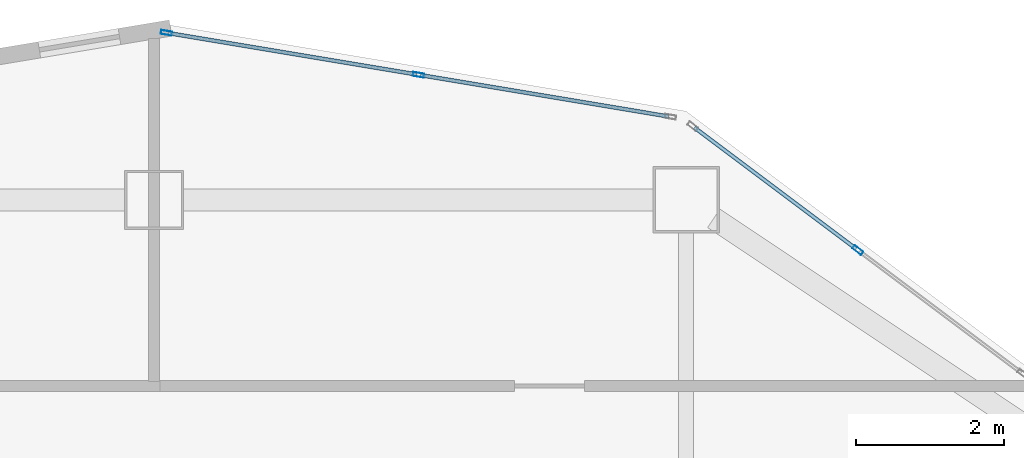
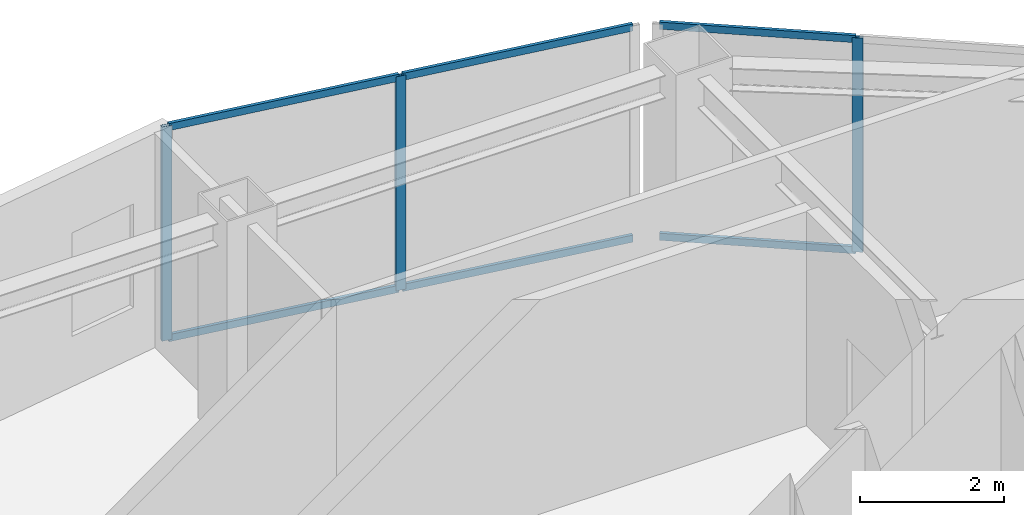
# One storey, part 2 of 12: 9 members, 2 elements without a shape of their own.
"""IFC4 building model written with IfcOpenShell, lengths in metres."""

import ifcopenshell
import ifcopenshell.guid

model = None  # the IFC model being written
_history = None  # IfcOwnerHistory: only IFC2X3 demands one
_inside = {}  # id of a spatial element -> (the spatial element, [elements in it])
_under = {}  # id of a project, library or spatial element -> (it, [spatial elements below it])
_declared = {}  # id of a project -> (the project, [libraries it declares])
_typed = {}  # id of a type object -> (the type object, [elements of that type])
_made_of = {}  # id of a material, layer set ... -> (it, [elements and type objects made of it])


def new_model(schema):
    """Start an empty IFC model of exactly this schema.

    Asked for "IFC4X3", IfcOpenShell would pick the latest addendum, in which some entities
    have other attributes; the version numbers below select the first issue.
    IFC2X3 requires an IfcOwnerHistory on every rooted entity: one is made here for all.
    """
    global model, _history
    if schema == "IFC4X3":
        model = ifcopenshell.file(schema_version=(4, 3, 0, 0))
    else:
        model = ifcopenshell.file(schema=schema)
    _inside.clear()
    _under.clear()
    _declared.clear()
    _typed.clear()
    _made_of.clear()
    _history = None
    if model.schema == "IFC2X3":
        org = make("IfcOrganization", Name="unknown")
        user = make(
            "IfcPersonAndOrganization",
            ThePerson=make("IfcPerson", FamilyName="unknown"),
            TheOrganization=org,
        )
        app = make(
            "IfcApplication",
            ApplicationDeveloper=org,
            Version="unknown",
            ApplicationFullName="unknown",
            ApplicationIdentifier="unknown",
        )
        _history = make(
            "IfcOwnerHistory",
            OwningUser=user,
            OwningApplication=app,
            ChangeAction="ADDED",
            CreationDate=0,
        )
    return model


def make(cls, **values):
    """One entity of the class cls with the attributes given. An attribute that is None is left unset."""
    return model.create_entity(
        cls, **{name: value for name, value in values.items() if value is not None}
    )


def rooted(cls, **values):
    """An entity with a GlobalId (a new one), such as an element, a storey or a relation."""
    return make(cls, GlobalId=ifcopenshell.guid.new(), OwnerHistory=_history, **values)


def si_unit(unit_type, name, prefix=None):
    """IfcSIUnit, for example si_unit("LENGTHUNIT", "METRE", prefix="MILLI")."""
    return make("IfcSIUnit", UnitType=unit_type, Prefix=prefix, Name=name)


def assignment(units):
    """IfcUnitAssignment: the units of a project."""
    return None if units is None else make("IfcUnitAssignment", Units=units)


def point(xyz):
    """IfcCartesianPoint."""
    return None if xyz is None else make("IfcCartesianPoint", Coordinates=xyz)


def direction(xyz):
    """IfcDirection."""
    return None if xyz is None else make("IfcDirection", DirectionRatios=xyz)


def frame(location, z_axis=None, x_axis=None):
    """IfcAxis2Placement3D, a coordinate frame: its origin and axes. An axis left out is left unset."""
    return make(
        "IfcAxis2Placement3D",
        Location=point(location),
        Axis=direction(z_axis),
        RefDirection=direction(x_axis),
    )


def frame_2d(location, x_axis=None):
    """IfcAxis2Placement2D, a coordinate frame in the plane: its origin and x axis."""
    return make(
        "IfcAxis2Placement2D", Location=point(location), RefDirection=direction(x_axis)
    )


def origin():
    """The frame at (0, 0, 0) with its axes left unset."""
    return frame((0.0, 0.0, 0.0))


def origin_2d():
    """The frame at (0, 0) in the plane with its x axis left unset."""
    return frame_2d((0.0, 0.0))


def place(relative_to, where):
    """IfcLocalPlacement: puts the frame where relative to a parent placement (None: the world)."""
    return make(
        "IfcLocalPlacement", PlacementRelTo=relative_to, RelativePlacement=where
    )


def context(
    kind, dimensions, precision=None, world=None, true_north=None, identifier=None
):
    """IfcGeometricRepresentationContext, for example the 3D "Model" context."""
    return make(
        "IfcGeometricRepresentationContext",
        ContextIdentifier=identifier,
        ContextType=kind,
        CoordinateSpaceDimension=dimensions,
        Precision=precision,
        WorldCoordinateSystem=world,
        TrueNorth=true_north,
    )


def subcontext(parent, identifier, kind, view, scale=None):
    """IfcGeometricRepresentationSubContext, for example "Body" below "Model"."""
    return make(
        "IfcGeometricRepresentationSubContext",
        ContextIdentifier=identifier,
        ContextType=kind,
        ParentContext=parent,
        TargetScale=scale,
        TargetView=view,
    )


def project(units=None, contexts=None):
    """IfcProject with its units and contexts."""
    return rooted(
        "IfcProject",
        Name="project",
        RepresentationContexts=contexts,
        UnitsInContext=assignment(units),
    )


def spatial(cls, under=None, at=None, **own):
    """A site, building, storey or space (cls), placed at a placement, below another one or the project."""
    s = rooted(cls, ObjectPlacement=at, **own)
    if under is not None:
        _under.setdefault(under.id(), (under, []))[1].append(s)
    return s


def profile(cls, at=None, kind="AREA", **sizes):
    """A parametric profile (cls). Its sizes go by their IFC names, for example OverallWidth=200.0."""
    return make(cls, ProfileType=kind, Position=at, **sizes)


def hollow_rectangle(**sizes):
    """IfcRectangleHollowProfileDef."""
    return profile("IfcRectangleHollowProfileDef", **sizes)


def extrude(swept, where, along, depth):
    """IfcExtrudedAreaSolid: the profile swept, set in the frame where, extruded along a direction by depth."""
    return make(
        "IfcExtrudedAreaSolid",
        SweptArea=swept,
        Position=where,
        ExtrudedDirection=direction(along),
        Depth=depth,
    )


def shape(context_of_items, identifier, shape_type, items):
    """IfcShapeRepresentation: the items that make up one representation, for example the "Body"."""
    return make(
        "IfcShapeRepresentation",
        ContextOfItems=context_of_items,
        RepresentationIdentifier=identifier,
        RepresentationType=shape_type,
        Items=items,
    )


def material(Name=None, Category=None):
    """IfcMaterial."""
    return make("IfcMaterial", Name=Name, Category=Category)


def layer(
    of_material, thickness, ventilated=None, Name=None, Category=None, Priority=None
):
    """IfcMaterialLayer: one layer of a wall or slab, of a material (None: an air gap)."""
    return make(
        "IfcMaterialLayer",
        Material=of_material,
        LayerThickness=thickness,
        IsVentilated=ventilated,
        Name=Name,
        Category=Category,
        Priority=Priority,
    )


def layer_set(layers, Name=None):
    """IfcMaterialLayerSet."""
    return make("IfcMaterialLayerSet", MaterialLayers=layers, LayerSetName=Name)


def material_profile(
    of_material, cross_section, Name=None, Category=None, Priority=None
):
    """IfcMaterialProfile: a cross section and its material."""
    return make(
        "IfcMaterialProfile",
        Name=Name,
        Material=of_material,
        Profile=cross_section,
        Priority=Priority,
        Category=Category,
    )


def profile_set(profiles, Name=None, composite=None):
    """IfcMaterialProfileSet."""
    return make(
        "IfcMaterialProfileSet",
        Name=Name,
        MaterialProfiles=profiles,
        CompositeProfile=composite,
    )


def made_of(thing, what):
    """Note that an element or type object is made of a material, layer set ...; save() writes the relation."""
    if what is not None:
        _made_of.setdefault(what.id(), (what, []))[1].append(thing)
    return thing


def type_object(cls, material=None, **own):
    """A type object (cls), such as IfcWallType, which elements share."""
    return made_of(rooted(cls, **own), material)


def element(
    cls,
    number,
    at=None,
    inside=None,
    cuts=None,
    type_object=None,
    material=None,
    context=None,
    identifier="Body",
    shape_type=None,
    held_by="IfcProductDefinitionShape",
    body=None,
    shapes=None,
    **own,
):
    """One element of the class cls, such as IfcWall. Its Tag is "e" and its number.

    at: its placement. inside: the storey or other place that contains it. cuts: it is an
    opening in that element (IfcRelVoidsElement). A single representation is given by context,
    identifier, shape_type and body (its items); several are given by shapes. held_by: the class
    of the entity that holds the representations. save() writes the other relations.
    """
    e = rooted(cls, Tag="e%d" % number, ObjectPlacement=at, **own)
    if body is not None:
        shapes = [shape(context, identifier, shape_type, body)]
    if shapes is not None:
        e.Representation = make(held_by, Representations=shapes)
    if inside is not None:
        _inside.setdefault(inside.id(), (inside, []))[1].append(e)
    if cuts is not None:
        rooted(
            "IfcRelVoidsElement", RelatingBuildingElement=cuts, RelatedOpeningElement=e
        )
    if type_object is not None:
        _typed.setdefault(type_object.id(), (type_object, []))[1].append(e)
    return made_of(e, material)


def aggregate(whole, parts):
    """IfcRelAggregates: a whole, such as a stair, and the parts it consists of."""
    return rooted("IfcRelAggregates", RelatingObject=whole, RelatedObjects=parts)


def save(model, path):
    """Write the relations noted so far, then the file.

    IfcRelAggregates (storeys below a building ...), IfcRelContainedInSpatialStructure (elements
    in a storey), IfcRelDefinesByType, IfcRelAssociatesMaterial and IfcRelDeclares: one each for
    every whole, place, type object, material and project.
    """
    for whole, parts in _under.values():
        aggregate(whole, parts)
    for where, things in _inside.values():
        rooted(
            "IfcRelContainedInSpatialStructure",
            RelatedElements=things,
            RelatingStructure=where,
        )
    for kind, things in _typed.values():
        rooted("IfcRelDefinesByType", RelatedObjects=things, RelatingType=kind)
    for what, things in _made_of.values():
        rooted("IfcRelAssociatesMaterial", RelatedObjects=things, RelatingMaterial=what)
    for by, libraries in _declared.values():
        rooted("IfcRelDeclares", RelatingContext=by, RelatedDefinitions=libraries)
    model.write(path)


model = new_model("IFC4")

# Units and contexts
model_context = context("Model", 3, precision=1e-05, world=origin(), true_north=direction((0.0, 1.0)))
body_context = subcontext(model_context, "Body", "Model", "MODEL_VIEW")
ifc_project = project(units=[si_unit("LENGTHUNIT", "METRE"), si_unit("AREAUNIT", "SQUARE_METRE"), si_unit("VOLUMEUNIT", "CUBIC_METRE"), si_unit("PLANEANGLEUNIT", "RADIAN"), si_unit("MASSUNIT", "GRAM", prefix="KILO")], contexts=[model_context])

# Site, building, storey
site_placement = place(None, origin())
site = spatial("IfcSite", under=ifc_project, at=site_placement, CompositionType="ELEMENT")
building_placement = place(site_placement, origin())
building = spatial("IfcBuilding", under=site, at=building_placement, Name="Haolan Belvedere Tower", CompositionType="ELEMENT")
storey_placement = place(building_placement, frame((0.0, 0.0, 184.199951171875)))
storey = spatial("IfcBuildingStorey", under=building, at=storey_placement, Name="L46", CompositionType="ELEMENT", Elevation=184.199951171875)

# Curtain wall, member
ifc_material_1 = material(Name="Anodised champagne-silver aluminium 6063-T6 and Low-E glass", Category="aluminium")
ifc_layer = layer(ifc_material_1, 0.14990234375, Name="Anodised champagne-silver aluminium 6063-T6 and Low-E glass")
ifc_layer_set = layer_set([ifc_layer], Name="Anodised champagne-silver aluminium 6063-T6 and Low-E glass")
curtain_wall_type = type_object("IfcCurtainWallType", Name="CW-SYS-04", PredefinedType="NOTDEFINED", material=ifc_layer_set)
curtain_wall_1_placement = place(storey_placement, origin())
curtain_wall_1 = element("IfcCurtainWall", 1, at=curtain_wall_1_placement, inside=storey, type_object=curtain_wall_type, Name="L46 CW-SYS-04 ribbon curtain wall 20.1", PredefinedType="NOTDEFINED")
ifc_material_2 = material(Name="Anodised aluminium 6063-T6", Category="aluminium")
ifc_material_profile_1 = material_profile(ifc_material_2, hollow_rectangle(XDim=0.055908203125, YDim=0.14990234375, WallThickness=0.00390625, at=origin_2d()), Name="Anodised aluminium 6063-T6")
ifc_profile_set_1 = profile_set([ifc_material_profile_1], Name="Anodised aluminium 6063-T6")
member_type_1 = type_object("IfcMemberType", Name="CW-SYS-04-MUL", PredefinedType="MULLION", material=ifc_profile_set_1)
member_1_placement = place(storey_placement, frame((47.9228515625, 49.720458984375, 0.0), z_axis=(0.0, 0.0, 1.0), x_axis=(-0.600002837806, -0.799997871638, 0.0)))
member_1 = element("IfcMember", 2, at=member_1_placement, type_object=member_type_1, Name="CW-04 mullion 2", PredefinedType="MULLION", context=body_context, shape_type="SweptSolid", body=[
    extrude(hollow_rectangle(XDim=0.055908203125, YDim=0.14990234375, WallThickness=0.00390625, at=origin_2d()), origin(), (0.0, 0.0, 1.0), 3.6201171875),
])

# Curtain wall, members
curtain_wall_2_placement = place(storey_placement, origin())
curtain_wall_2 = element("IfcCurtainWall", 3, at=curtain_wall_2_placement, inside=storey, type_object=curtain_wall_type, Name="L46 CW-SYS-04 ribbon curtain wall 21.1", PredefinedType="NOTDEFINED")
member_2_placement = place(storey_placement, frame((41.977783203125, 52.09228515625, 0.0), z_axis=(0.0, 0.0, 1.0), x_axis=(-0.164405962825, -0.98639276122, 0.0)))
member_2 = element("IfcMember", 4, at=member_2_placement, type_object=member_type_1, Name="CW-04 mullion 2", PredefinedType="MULLION", context=body_context, shape_type="SweptSolid", body=[
    extrude(hollow_rectangle(XDim=0.055908203125, YDim=0.14990234375, WallThickness=0.00390625, at=origin_2d()), origin(), (0.0, 0.0, 1.0), 3.6201171875),
])
member_3_placement = place(storey_placement, frame((38.565673828125, 52.660888671875, 0.0), z_axis=(0.0, 0.0, 1.0), x_axis=(-0.164405962825, -0.98639276122, 0.0)))
member_3 = element("IfcMember", 5, at=member_3_placement, type_object=member_type_1, Name="CW-04 mullion 3", PredefinedType="MULLION", context=body_context, shape_type="SweptSolid", body=[
    extrude(hollow_rectangle(XDim=0.055908203125, YDim=0.14990234375, WallThickness=0.00390625, at=origin_2d()), origin(), (0.0, 0.0, 1.0), 3.6201171875),
])

# Member
ifc_material_profile_2 = material_profile(ifc_material_2, hollow_rectangle(XDim=0.052001953125, YDim=0.1201171875, WallThickness=0.00390625, at=origin_2d()), Name="Anodised aluminium 6063-T6")
ifc_profile_set_2 = profile_set([ifc_material_profile_2], Name="Anodised aluminium 6063-T6")
member_type_2 = type_object("IfcMemberType", Name="CW-SYS-04-TRN", PredefinedType="USERDEFINED", material=ifc_profile_set_2)
member_4_placement = place(storey_placement, frame((47.900390625, 49.7373046875, 0.026123046875), z_axis=(-0.799978576274, 0.600028563905, 0.0), x_axis=(-0.600028563905, -0.799978576274, 0.0)))
member_4 = element("IfcMember", 6, at=member_4_placement, type_object=member_type_2, Name="CW-04 transom 2.1", ObjectType="TRANSOM", PredefinedType="USERDEFINED", context=body_context, shape_type="SweptSolid", body=[
    extrude(hollow_rectangle(XDim=0.052001953125, YDim=0.1201171875, WallThickness=0.00390625, at=origin_2d()), origin(), (0.0, 0.0, 1.0), 2.735107421875),
])

member_5_placement = place(storey_placement, frame((47.900390625, 49.7373046875, 3.593994140625), z_axis=(-0.799978576274, 0.600028563905, 0.0), x_axis=(-0.600028563905, -0.799978576274, 0.0)))
member_5 = element("IfcMember", 7, at=member_5_placement, type_object=member_type_2, Name="CW-04 transom 2.2", ObjectType="TRANSOM", PredefinedType="USERDEFINED", context=body_context, shape_type="SweptSolid", body=[
    extrude(hollow_rectangle(XDim=0.052001953125, YDim=0.1201171875, WallThickness=0.00390625, at=origin_2d()), origin(), (0.0, 0.0, 1.0), 2.735107421875),
])

aggregate(curtain_wall_1, [member_1, member_4, member_5])

member_6_placement = place(storey_placement, frame((45.362060546875, 51.528076171875, 0.026123046875), z_axis=(-0.986388106252, 0.164433888976, 0.0), x_axis=(-0.164433888976, -0.986388106252, 0.0)))
member_6 = element("IfcMember", 8, at=member_6_placement, type_object=member_type_2, Name="CW-04 transom 1.1", ObjectType="TRANSOM", PredefinedType="USERDEFINED", context=body_context, shape_type="SweptSolid", body=[
    extrude(hollow_rectangle(XDim=0.052001953125, YDim=0.1201171875, WallThickness=0.00390625, at=origin_2d()), origin(), (0.0, 0.0, 1.0), 3.403076171875),
])

member_7_placement = place(storey_placement, frame((45.362060546875, 51.528076171875, 3.593994140625), z_axis=(-0.986388106252, 0.164433888976, 0.0), x_axis=(-0.164433888976, -0.986388106252, 0.0)))
member_7 = element("IfcMember", 9, at=member_7_placement, type_object=member_type_2, Name="CW-04 transom 1.2", ObjectType="TRANSOM", PredefinedType="USERDEFINED", context=body_context, shape_type="SweptSolid", body=[
    extrude(hollow_rectangle(XDim=0.052001953125, YDim=0.1201171875, WallThickness=0.00390625, at=origin_2d()), origin(), (0.0, 0.0, 1.0), 3.403076171875),
])

member_8_placement = place(storey_placement, frame((41.9501953125, 52.096923828125, 0.026123046875), z_axis=(-0.986401678227, 0.164352454169, 0.0), x_axis=(-0.164352454169, -0.986401678227, 0.0)))
member_8 = element("IfcMember", 10, at=member_8_placement, type_object=member_type_2, Name="CW-04 transom 2.1", ObjectType="TRANSOM", PredefinedType="USERDEFINED", context=body_context, shape_type="SweptSolid", body=[
    extrude(hollow_rectangle(XDim=0.052001953125, YDim=0.1201171875, WallThickness=0.00390625, at=origin_2d()), origin(), (0.0, 0.0, 1.0), 3.4033203125),
])

member_9_placement = place(storey_placement, frame((41.9501953125, 52.096923828125, 3.593994140625), z_axis=(-0.986401678227, 0.164352454169, 0.0), x_axis=(-0.164352454169, -0.986401678227, 0.0)))
member_9 = element("IfcMember", 11, at=member_9_placement, type_object=member_type_2, Name="CW-04 transom 2.2", ObjectType="TRANSOM", PredefinedType="USERDEFINED", context=body_context, shape_type="SweptSolid", body=[
    extrude(hollow_rectangle(XDim=0.052001953125, YDim=0.1201171875, WallThickness=0.00390625, at=origin_2d()), origin(), (0.0, 0.0, 1.0), 3.4033203125),
])

aggregate(curtain_wall_2, [member_2, member_3, member_6, member_7, member_8, member_9])

save(model, "model.ifc")
